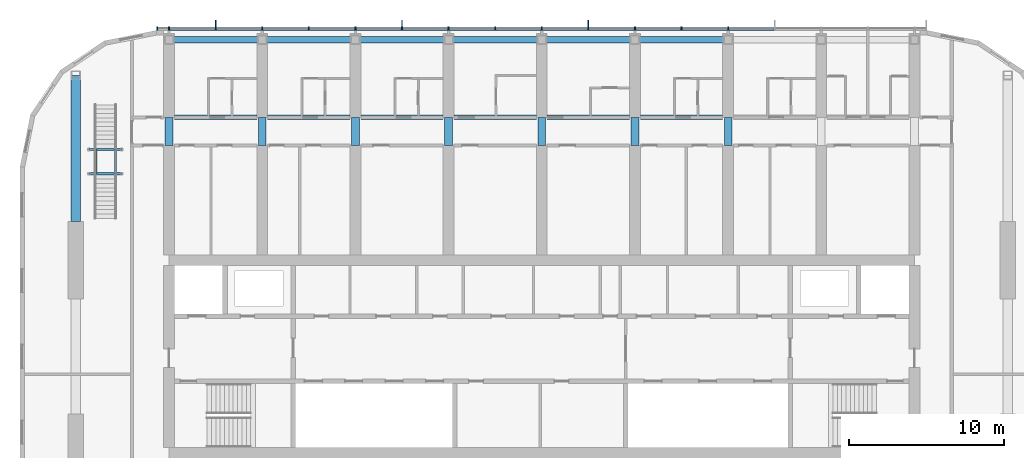
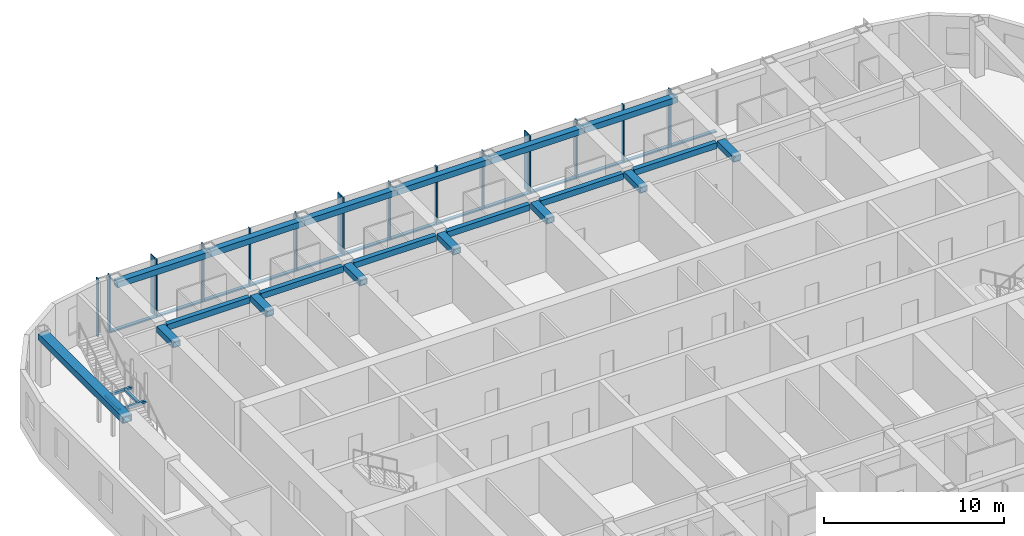
# One storey, part 6 of 27: 30 members, 24 beams, 1 element without a shape of its own.
"""IFC4 building model written with IfcOpenShell, lengths in metres."""

import ifcopenshell
import ifcopenshell.guid

model = None  # the IFC model being written
_history = None  # IfcOwnerHistory: only IFC2X3 demands one
_inside = {}  # id of a spatial element -> (the spatial element, [elements in it])
_under = {}  # id of a project, library or spatial element -> (it, [spatial elements below it])
_declared = {}  # id of a project -> (the project, [libraries it declares])
_typed = {}  # id of a type object -> (the type object, [elements of that type])
_made_of = {}  # id of a material, layer set ... -> (it, [elements and type objects made of it])


def new_model(schema):
    """Start an empty IFC model of exactly this schema.

    Asked for "IFC4X3", IfcOpenShell would pick the latest addendum, in which some entities
    have other attributes; the version numbers below select the first issue.
    IFC2X3 requires an IfcOwnerHistory on every rooted entity: one is made here for all.
    """
    global model, _history
    if schema == "IFC4X3":
        model = ifcopenshell.file(schema_version=(4, 3, 0, 0))
    else:
        model = ifcopenshell.file(schema=schema)
    _inside.clear()
    _under.clear()
    _declared.clear()
    _typed.clear()
    _made_of.clear()
    _history = None
    if model.schema == "IFC2X3":
        org = make("IfcOrganization", Name="unknown")
        user = make(
            "IfcPersonAndOrganization",
            ThePerson=make("IfcPerson", FamilyName="unknown"),
            TheOrganization=org,
        )
        app = make(
            "IfcApplication",
            ApplicationDeveloper=org,
            Version="unknown",
            ApplicationFullName="unknown",
            ApplicationIdentifier="unknown",
        )
        _history = make(
            "IfcOwnerHistory",
            OwningUser=user,
            OwningApplication=app,
            ChangeAction="ADDED",
            CreationDate=0,
        )
    return model


def make(cls, **values):
    """One entity of the class cls with the attributes given. An attribute that is None is left unset."""
    return model.create_entity(
        cls, **{name: value for name, value in values.items() if value is not None}
    )


def rooted(cls, **values):
    """An entity with a GlobalId (a new one), such as an element, a storey or a relation."""
    return make(cls, GlobalId=ifcopenshell.guid.new(), OwnerHistory=_history, **values)


def si_unit(unit_type, name, prefix=None):
    """IfcSIUnit, for example si_unit("LENGTHUNIT", "METRE", prefix="MILLI")."""
    return make("IfcSIUnit", UnitType=unit_type, Prefix=prefix, Name=name)


def assignment(units):
    """IfcUnitAssignment: the units of a project."""
    return None if units is None else make("IfcUnitAssignment", Units=units)


def point(xyz):
    """IfcCartesianPoint."""
    return None if xyz is None else make("IfcCartesianPoint", Coordinates=xyz)


def direction(xyz):
    """IfcDirection."""
    return None if xyz is None else make("IfcDirection", DirectionRatios=xyz)


def frame(location, z_axis=None, x_axis=None):
    """IfcAxis2Placement3D, a coordinate frame: its origin and axes. An axis left out is left unset."""
    return make(
        "IfcAxis2Placement3D",
        Location=point(location),
        Axis=direction(z_axis),
        RefDirection=direction(x_axis),
    )


def frame_2d(location, x_axis=None):
    """IfcAxis2Placement2D, a coordinate frame in the plane: its origin and x axis."""
    return make(
        "IfcAxis2Placement2D", Location=point(location), RefDirection=direction(x_axis)
    )


def origin():
    """The frame at (0, 0, 0) with its axes left unset."""
    return frame((0.0, 0.0, 0.0))


def origin_2d():
    """The frame at (0, 0) in the plane with its x axis left unset."""
    return frame_2d((0.0, 0.0))


def place(relative_to, where):
    """IfcLocalPlacement: puts the frame where relative to a parent placement (None: the world)."""
    return make(
        "IfcLocalPlacement", PlacementRelTo=relative_to, RelativePlacement=where
    )


def context(
    kind, dimensions, precision=None, world=None, true_north=None, identifier=None
):
    """IfcGeometricRepresentationContext, for example the 3D "Model" context."""
    return make(
        "IfcGeometricRepresentationContext",
        ContextIdentifier=identifier,
        ContextType=kind,
        CoordinateSpaceDimension=dimensions,
        Precision=precision,
        WorldCoordinateSystem=world,
        TrueNorth=true_north,
    )


def subcontext(parent, identifier, kind, view, scale=None):
    """IfcGeometricRepresentationSubContext, for example "Body" below "Model"."""
    return make(
        "IfcGeometricRepresentationSubContext",
        ContextIdentifier=identifier,
        ContextType=kind,
        ParentContext=parent,
        TargetScale=scale,
        TargetView=view,
    )


def project(units=None, contexts=None):
    """IfcProject with its units and contexts."""
    return rooted(
        "IfcProject",
        Name="project",
        RepresentationContexts=contexts,
        UnitsInContext=assignment(units),
    )


def spatial(cls, under=None, at=None, **own):
    """A site, building, storey or space (cls), placed at a placement, below another one or the project."""
    s = rooted(cls, ObjectPlacement=at, **own)
    if under is not None:
        _under.setdefault(under.id(), (under, []))[1].append(s)
    return s


def profile(cls, at=None, kind="AREA", **sizes):
    """A parametric profile (cls). Its sizes go by their IFC names, for example OverallWidth=200.0."""
    return make(cls, ProfileType=kind, Position=at, **sizes)


def rectangle(**sizes):
    """IfcRectangleProfileDef."""
    return profile("IfcRectangleProfileDef", **sizes)


def hollow_rectangle(**sizes):
    """IfcRectangleHollowProfileDef."""
    return profile("IfcRectangleHollowProfileDef", **sizes)


def extrude(swept, where, along, depth):
    """IfcExtrudedAreaSolid: the profile swept, set in the frame where, extruded along a direction by depth."""
    return make(
        "IfcExtrudedAreaSolid",
        SweptArea=swept,
        Position=where,
        ExtrudedDirection=direction(along),
        Depth=depth,
    )


def shape(context_of_items, identifier, shape_type, items):
    """IfcShapeRepresentation: the items that make up one representation, for example the "Body"."""
    return make(
        "IfcShapeRepresentation",
        ContextOfItems=context_of_items,
        RepresentationIdentifier=identifier,
        RepresentationType=shape_type,
        Items=items,
    )


def material(Name=None, Category=None):
    """IfcMaterial."""
    return make("IfcMaterial", Name=Name, Category=Category)


def material_profile(
    of_material, cross_section, Name=None, Category=None, Priority=None
):
    """IfcMaterialProfile: a cross section and its material."""
    return make(
        "IfcMaterialProfile",
        Name=Name,
        Material=of_material,
        Profile=cross_section,
        Priority=Priority,
        Category=Category,
    )


def profile_set(profiles, Name=None, composite=None):
    """IfcMaterialProfileSet."""
    return make(
        "IfcMaterialProfileSet",
        Name=Name,
        MaterialProfiles=profiles,
        CompositeProfile=composite,
    )


def made_of(thing, what):
    """Note that an element or type object is made of a material, layer set ...; save() writes the relation."""
    if what is not None:
        _made_of.setdefault(what.id(), (what, []))[1].append(thing)
    return thing


def type_object(cls, material=None, **own):
    """A type object (cls), such as IfcWallType, which elements share."""
    return made_of(rooted(cls, **own), material)


def element(
    cls,
    number,
    at=None,
    inside=None,
    cuts=None,
    type_object=None,
    material=None,
    context=None,
    identifier="Body",
    shape_type=None,
    held_by="IfcProductDefinitionShape",
    body=None,
    shapes=None,
    **own,
):
    """One element of the class cls, such as IfcWall. Its Tag is "e" and its number.

    at: its placement. inside: the storey or other place that contains it. cuts: it is an
    opening in that element (IfcRelVoidsElement). A single representation is given by context,
    identifier, shape_type and body (its items); several are given by shapes. held_by: the class
    of the entity that holds the representations. save() writes the other relations.
    """
    e = rooted(cls, Tag="e%d" % number, ObjectPlacement=at, **own)
    if body is not None:
        shapes = [shape(context, identifier, shape_type, body)]
    if shapes is not None:
        e.Representation = make(held_by, Representations=shapes)
    if inside is not None:
        _inside.setdefault(inside.id(), (inside, []))[1].append(e)
    if cuts is not None:
        rooted(
            "IfcRelVoidsElement", RelatingBuildingElement=cuts, RelatedOpeningElement=e
        )
    if type_object is not None:
        _typed.setdefault(type_object.id(), (type_object, []))[1].append(e)
    return made_of(e, material)


def aggregate(whole, parts):
    """IfcRelAggregates: a whole, such as a stair, and the parts it consists of."""
    return rooted("IfcRelAggregates", RelatingObject=whole, RelatedObjects=parts)


def save(model, path):
    """Write the relations noted so far, then the file.

    IfcRelAggregates (storeys below a building ...), IfcRelContainedInSpatialStructure (elements
    in a storey), IfcRelDefinesByType, IfcRelAssociatesMaterial and IfcRelDeclares: one each for
    every whole, place, type object, material and project.
    """
    for whole, parts in _under.values():
        aggregate(whole, parts)
    for where, things in _inside.values():
        rooted(
            "IfcRelContainedInSpatialStructure",
            RelatedElements=things,
            RelatingStructure=where,
        )
    for kind, things in _typed.values():
        rooted("IfcRelDefinesByType", RelatedObjects=things, RelatingType=kind)
    for what, things in _made_of.values():
        rooted("IfcRelAssociatesMaterial", RelatedObjects=things, RelatingMaterial=what)
    for by, libraries in _declared.values():
        rooted("IfcRelDeclares", RelatingContext=by, RelatedDefinitions=libraries)
    model.write(path)


model = new_model("IFC4")

# Units and contexts
model_context = context("Model", 3, precision=1e-05, world=origin(), true_north=direction((0.0, 1.0)))
body_context = subcontext(model_context, "Body", "Model", "MODEL_VIEW")
ifc_project = project(units=[si_unit("LENGTHUNIT", "METRE"), si_unit("AREAUNIT", "SQUARE_METRE"), si_unit("VOLUMEUNIT", "CUBIC_METRE"), si_unit("PLANEANGLEUNIT", "RADIAN"), si_unit("MASSUNIT", "GRAM", prefix="KILO")], contexts=[model_context])

# Site, building, storey
site_placement = place(None, origin())
site = spatial("IfcSite", under=ifc_project, at=site_placement, CompositionType="ELEMENT")
building_placement = place(site_placement, origin())
building = spatial("IfcBuilding", under=site, at=building_placement, Name="Orbita Commons", CompositionType="ELEMENT")
storey_placement = place(building_placement, frame((0.0, 0.0, 246.550048828125)))
storey = spatial("IfcBuildingStorey", under=building, at=storey_placement, Name="L61", CompositionType="ELEMENT", Elevation=246.550048828125)

# Curtain wall, members
ifc_material_1 = material(Name="Anodised aluminium frame, pale silver", Category="aluminium")
curtain_wall_type = type_object("IfcCurtainWallType", Name="Unitised curtain wall CW-U, full-height vision", PredefinedType="NOTDEFINED", material=ifc_material_1)
curtain_wall_placement = place(storey_placement, origin())
curtain_wall = element("IfcCurtainWall", 1, at=curtain_wall_placement, inside=storey, type_object=curtain_wall_type, Name="Curtain wall north L61", PredefinedType="NOTDEFINED")
ifc_material_2 = material(Name="Anodised aluminium, pale silver", Category="aluminium")
ifc_material_profile_1 = material_profile(ifc_material_2, rectangle(XDim=0.080078125, YDim=0.219970703125, at=origin_2d()), Name="AL 80x220")
ifc_profile_set_1 = profile_set([ifc_material_profile_1], Name="Anodised aluminium, pale silver")
member_type_1 = type_object("IfcMemberType", Name="Curtain wall mullion 80x220", PredefinedType="MULLION", material=ifc_profile_set_1)
member_1_placement = place(storey_placement, frame((54.0, 53.110107421875, -0.449951171875), z_axis=(0.0, 0.0, 1.0), x_axis=(-1.0, 0.0, 0.0)))
member_1 = element("IfcMember", 2, at=member_1_placement, type_object=member_type_1, Name="Mullion 6 CW-L61-N", PredefinedType="MULLION", context=body_context, shape_type="SweptSolid", body=[
    extrude(rectangle(XDim=0.080078125, YDim=0.219970703125, at=origin_2d()), origin(), (0.0, 0.0, 1.0), 3.949951171875),
])
member_2_placement = place(storey_placement, frame((51.0, 53.110107421875, -0.449951171875), z_axis=(0.0, 0.0, 1.0), x_axis=(-1.0, 0.0, 0.0)))
member_2 = element("IfcMember", 3, at=member_2_placement, type_object=member_type_1, Name="Mullion 7 CW-L61-N", PredefinedType="MULLION", context=body_context, shape_type="SweptSolid", body=[
    extrude(rectangle(XDim=0.080078125, YDim=0.219970703125, at=origin_2d()), origin(), (0.0, 0.0, 1.0), 3.949951171875),
])
member_3_placement = place(storey_placement, frame((48.0, 53.110107421875, -0.449951171875), z_axis=(0.0, 0.0, 1.0), x_axis=(-1.0, 0.0, 0.0)))
member_3 = element("IfcMember", 4, at=member_3_placement, type_object=member_type_1, Name="Mullion 8 CW-L61-N", PredefinedType="MULLION", context=body_context, shape_type="SweptSolid", body=[
    extrude(rectangle(XDim=0.080078125, YDim=0.219970703125, at=origin_2d()), origin(), (0.0, 0.0, 1.0), 3.949951171875),
])
member_4_placement = place(storey_placement, frame((45.0, 53.110107421875, -0.449951171875), z_axis=(0.0, 0.0, 1.0), x_axis=(-1.0, 0.0, 0.0)))
member_4 = element("IfcMember", 5, at=member_4_placement, type_object=member_type_1, Name="Mullion 9 CW-L61-N", PredefinedType="MULLION", context=body_context, shape_type="SweptSolid", body=[
    extrude(rectangle(XDim=0.080078125, YDim=0.219970703125, at=origin_2d()), origin(), (0.0, 0.0, 1.0), 3.949951171875),
])
member_5_placement = place(storey_placement, frame((42.0, 53.110107421875, -0.449951171875), z_axis=(0.0, 0.0, 1.0), x_axis=(-1.0, 0.0, 0.0)))
member_5 = element("IfcMember", 6, at=member_5_placement, type_object=member_type_1, Name="Mullion 10 CW-L61-N", PredefinedType="MULLION", context=body_context, shape_type="SweptSolid", body=[
    extrude(rectangle(XDim=0.080078125, YDim=0.219970703125, at=origin_2d()), origin(), (0.0, 0.0, 1.0), 3.949951171875),
])
member_6_placement = place(storey_placement, frame((39.0, 53.110107421875, -0.449951171875), z_axis=(0.0, 0.0, 1.0), x_axis=(-1.0, 0.0, 0.0)))
member_6 = element("IfcMember", 7, at=member_6_placement, type_object=member_type_1, Name="Mullion 11 CW-L61-N", PredefinedType="MULLION", context=body_context, shape_type="SweptSolid", body=[
    extrude(rectangle(XDim=0.080078125, YDim=0.219970703125, at=origin_2d()), origin(), (0.0, 0.0, 1.0), 3.949951171875),
])
member_7_placement = place(storey_placement, frame((36.0, 53.110107421875, -0.449951171875), z_axis=(0.0, 0.0, 1.0), x_axis=(-1.0, 0.0, 0.0)))
member_7 = element("IfcMember", 8, at=member_7_placement, type_object=member_type_1, Name="Mullion 12 CW-L61-N", PredefinedType="MULLION", context=body_context, shape_type="SweptSolid", body=[
    extrude(rectangle(XDim=0.080078125, YDim=0.219970703125, at=origin_2d()), origin(), (0.0, 0.0, 1.0), 3.949951171875),
])
member_8_placement = place(storey_placement, frame((33.0, 53.110107421875, -0.449951171875), z_axis=(0.0, 0.0, 1.0), x_axis=(-1.0, 0.0, 0.0)))
member_8 = element("IfcMember", 9, at=member_8_placement, type_object=member_type_1, Name="Mullion 13 CW-L61-N", PredefinedType="MULLION", context=body_context, shape_type="SweptSolid", body=[
    extrude(rectangle(XDim=0.080078125, YDim=0.219970703125, at=origin_2d()), origin(), (0.0, 0.0, 1.0), 3.949951171875),
])
member_9_placement = place(storey_placement, frame((30.0, 53.110107421875, -0.449951171875), z_axis=(0.0, 0.0, 1.0), x_axis=(-1.0, 0.0, 0.0)))
member_9 = element("IfcMember", 10, at=member_9_placement, type_object=member_type_1, Name="Mullion 14 CW-L61-N", PredefinedType="MULLION", context=body_context, shape_type="SweptSolid", body=[
    extrude(rectangle(XDim=0.080078125, YDim=0.219970703125, at=origin_2d()), origin(), (0.0, 0.0, 1.0), 3.949951171875),
])
member_10_placement = place(storey_placement, frame((27.0, 53.110107421875, -0.449951171875), z_axis=(0.0, 0.0, 1.0), x_axis=(-1.0, 0.0, 0.0)))
member_10 = element("IfcMember", 11, at=member_10_placement, type_object=member_type_1, Name="Mullion 15 CW-L61-N", PredefinedType="MULLION", context=body_context, shape_type="SweptSolid", body=[
    extrude(rectangle(XDim=0.080078125, YDim=0.219970703125, at=origin_2d()), origin(), (0.0, 0.0, 1.0), 3.949951171875),
])
member_11_placement = place(storey_placement, frame((24.0, 53.110107421875, -0.449951171875), z_axis=(0.0, 0.0, 1.0), x_axis=(-1.0, 0.0, 0.0)))
member_11 = element("IfcMember", 12, at=member_11_placement, type_object=member_type_1, Name="Mullion 16 CW-L61-N", PredefinedType="MULLION", context=body_context, shape_type="SweptSolid", body=[
    extrude(rectangle(XDim=0.080078125, YDim=0.219970703125, at=origin_2d()), origin(), (0.0, 0.0, 1.0), 3.949951171875),
])
member_12_placement = place(storey_placement, frame((21.0, 53.110107421875, -0.449951171875), z_axis=(0.0, 0.0, 1.0), x_axis=(-1.0, 0.0, 0.0)))
member_12 = element("IfcMember", 13, at=member_12_placement, type_object=member_type_1, Name="Mullion 17 CW-L61-N", PredefinedType="MULLION", context=body_context, shape_type="SweptSolid", body=[
    extrude(rectangle(XDim=0.080078125, YDim=0.219970703125, at=origin_2d()), origin(), (0.0, 0.0, 1.0), 3.949951171875),
])
member_13_placement = place(storey_placement, frame((18.0, 53.110107421875, -0.449951171875), z_axis=(0.0, 0.0, 1.0), x_axis=(-1.0, 0.0, 0.0)))
member_13 = element("IfcMember", 14, at=member_13_placement, type_object=member_type_1, Name="Mullion 18 CW-L61-N", PredefinedType="MULLION", context=body_context, shape_type="SweptSolid", body=[
    extrude(rectangle(XDim=0.080078125, YDim=0.219970703125, at=origin_2d()), origin(), (0.0, 0.0, 1.0), 3.949951171875),
])
member_14_placement = place(storey_placement, frame((17.239990234375, 53.110107421875, -0.449951171875), z_axis=(0.0, 0.0, 1.0), x_axis=(-1.0, 0.0, 0.0)))
member_14 = element("IfcMember", 15, at=member_14_placement, type_object=member_type_1, Name="Mullion 19 CW-L61-N", PredefinedType="MULLION", context=body_context, shape_type="SweptSolid", body=[
    extrude(rectangle(XDim=0.080078125, YDim=0.219970703125, at=origin_2d()), origin(), (0.0, 0.0, 1.0), 3.949951171875),
])
ifc_material_3 = material(Name="Anodised aluminium, pale silver", Category="aluminium")
ifc_material_profile_2 = material_profile(ifc_material_3, rectangle(XDim=0.219970703125, YDim=0.10009765625, at=origin_2d()), Name="AL 220x100")
ifc_profile_set_2 = profile_set([ifc_material_profile_2], Name="Anodised aluminium, pale silver")
member_type_2 = type_object("IfcMemberType", Name="Curtain wall stack transom 220x100", PredefinedType="USERDEFINED", material=ifc_profile_set_2)
member_15_placement = place(storey_placement, frame((56.9599609375, 53.110107421875, -0.400146484375), z_axis=(-1.0, 0.0, 0.0), x_axis=(0.0, -1.0, 0.0)))
member_15 = element("IfcMember", 16, at=member_15_placement, type_object=member_type_2, Name="Transom 5.1 CW-L61-N", ObjectType="TRANSOM", PredefinedType="USERDEFINED", context=body_context, shape_type="SweptSolid", body=[
    extrude(rectangle(XDim=0.219970703125, YDim=0.10009765625, at=origin_2d()), origin(), (0.0, 0.0, 1.0), 2.919921875),
])
member_16_placement = place(storey_placement, frame((53.9599609375, 53.110107421875, -0.400146484375), z_axis=(-1.0, 0.0, 0.0), x_axis=(0.0, -1.0, 0.0)))
member_16 = element("IfcMember", 17, at=member_16_placement, type_object=member_type_2, Name="Transom 6.1 CW-L61-N", ObjectType="TRANSOM", PredefinedType="USERDEFINED", context=body_context, shape_type="SweptSolid", body=[
    extrude(rectangle(XDim=0.219970703125, YDim=0.10009765625, at=origin_2d()), origin(), (0.0, 0.0, 1.0), 2.919921875),
])
member_17_placement = place(storey_placement, frame((50.9599609375, 53.110107421875, -0.400146484375), z_axis=(-1.0, 0.0, 0.0), x_axis=(0.0, -1.0, 0.0)))
member_17 = element("IfcMember", 18, at=member_17_placement, type_object=member_type_2, Name="Transom 7.1 CW-L61-N", ObjectType="TRANSOM", PredefinedType="USERDEFINED", context=body_context, shape_type="SweptSolid", body=[
    extrude(rectangle(XDim=0.219970703125, YDim=0.10009765625, at=origin_2d()), origin(), (0.0, 0.0, 1.0), 2.919921875),
])
member_18_placement = place(storey_placement, frame((47.9599609375, 53.110107421875, -0.400146484375), z_axis=(-1.0, 0.0, 0.0), x_axis=(0.0, -1.0, 0.0)))
member_18 = element("IfcMember", 19, at=member_18_placement, type_object=member_type_2, Name="Transom 8.1 CW-L61-N", ObjectType="TRANSOM", PredefinedType="USERDEFINED", context=body_context, shape_type="SweptSolid", body=[
    extrude(rectangle(XDim=0.219970703125, YDim=0.10009765625, at=origin_2d()), origin(), (0.0, 0.0, 1.0), 2.919921875),
])
member_19_placement = place(storey_placement, frame((44.9599609375, 53.110107421875, -0.400146484375), z_axis=(-1.0, 0.0, 0.0), x_axis=(0.0, -1.0, 0.0)))
member_19 = element("IfcMember", 20, at=member_19_placement, type_object=member_type_2, Name="Transom 9.1 CW-L61-N", ObjectType="TRANSOM", PredefinedType="USERDEFINED", context=body_context, shape_type="SweptSolid", body=[
    extrude(rectangle(XDim=0.219970703125, YDim=0.10009765625, at=origin_2d()), origin(), (0.0, 0.0, 1.0), 2.919921875),
])
member_20_placement = place(storey_placement, frame((41.9599609375, 53.110107421875, -0.400146484375), z_axis=(-1.0, 0.0, 0.0), x_axis=(0.0, -1.0, 0.0)))
member_20 = element("IfcMember", 21, at=member_20_placement, type_object=member_type_2, Name="Transom 10.1 CW-L61-N", ObjectType="TRANSOM", PredefinedType="USERDEFINED", context=body_context, shape_type="SweptSolid", body=[
    extrude(rectangle(XDim=0.219970703125, YDim=0.10009765625, at=origin_2d()), origin(), (0.0, 0.0, 1.0), 2.919921875),
])
member_21_placement = place(storey_placement, frame((38.9599609375, 53.110107421875, -0.400146484375), z_axis=(-1.0, 0.0, 0.0), x_axis=(0.0, -1.0, 0.0)))
member_21 = element("IfcMember", 22, at=member_21_placement, type_object=member_type_2, Name="Transom 11.1 CW-L61-N", ObjectType="TRANSOM", PredefinedType="USERDEFINED", context=body_context, shape_type="SweptSolid", body=[
    extrude(rectangle(XDim=0.219970703125, YDim=0.10009765625, at=origin_2d()), origin(), (0.0, 0.0, 1.0), 2.919921875),
])
member_22_placement = place(storey_placement, frame((35.9599609375, 53.110107421875, -0.400146484375), z_axis=(-1.0, 0.0, 0.0), x_axis=(0.0, -1.0, 0.0)))
member_22 = element("IfcMember", 23, at=member_22_placement, type_object=member_type_2, Name="Transom 12.1 CW-L61-N", ObjectType="TRANSOM", PredefinedType="USERDEFINED", context=body_context, shape_type="SweptSolid", body=[
    extrude(rectangle(XDim=0.219970703125, YDim=0.10009765625, at=origin_2d()), origin(), (0.0, 0.0, 1.0), 2.919921875),
])
member_23_placement = place(storey_placement, frame((32.9599609375, 53.110107421875, -0.400146484375), z_axis=(-1.0, 0.0, 0.0), x_axis=(0.0, -1.0, 0.0)))
member_23 = element("IfcMember", 24, at=member_23_placement, type_object=member_type_2, Name="Transom 13.1 CW-L61-N", ObjectType="TRANSOM", PredefinedType="USERDEFINED", context=body_context, shape_type="SweptSolid", body=[
    extrude(rectangle(XDim=0.219970703125, YDim=0.10009765625, at=origin_2d()), origin(), (0.0, 0.0, 1.0), 2.919921875),
])
member_24_placement = place(storey_placement, frame((29.9599609375, 53.110107421875, -0.400146484375), z_axis=(-1.0, 0.0, 0.0), x_axis=(0.0, -1.0, 0.0)))
member_24 = element("IfcMember", 25, at=member_24_placement, type_object=member_type_2, Name="Transom 14.1 CW-L61-N", ObjectType="TRANSOM", PredefinedType="USERDEFINED", context=body_context, shape_type="SweptSolid", body=[
    extrude(rectangle(XDim=0.219970703125, YDim=0.10009765625, at=origin_2d()), origin(), (0.0, 0.0, 1.0), 2.919921875),
])
member_25_placement = place(storey_placement, frame((26.9599609375, 53.110107421875, -0.400146484375), z_axis=(-1.0, 0.0, 0.0), x_axis=(0.0, -1.0, 0.0)))
member_25 = element("IfcMember", 26, at=member_25_placement, type_object=member_type_2, Name="Transom 15.1 CW-L61-N", ObjectType="TRANSOM", PredefinedType="USERDEFINED", context=body_context, shape_type="SweptSolid", body=[
    extrude(rectangle(XDim=0.219970703125, YDim=0.10009765625, at=origin_2d()), origin(), (0.0, 0.0, 1.0), 2.919921875),
])
member_26_placement = place(storey_placement, frame((23.9599609375, 53.110107421875, -0.400146484375), z_axis=(-1.0, 0.0, 0.0), x_axis=(0.0, -1.0, 0.0)))
member_26 = element("IfcMember", 27, at=member_26_placement, type_object=member_type_2, Name="Transom 16.1 CW-L61-N", ObjectType="TRANSOM", PredefinedType="USERDEFINED", context=body_context, shape_type="SweptSolid", body=[
    extrude(rectangle(XDim=0.219970703125, YDim=0.10009765625, at=origin_2d()), origin(), (0.0, 0.0, 1.0), 2.919921875),
])
member_27_placement = place(storey_placement, frame((20.9599609375, 53.110107421875, -0.400146484375), z_axis=(-1.0, 0.0, 0.0), x_axis=(0.0, -1.0, 0.0)))
member_27 = element("IfcMember", 28, at=member_27_placement, type_object=member_type_2, Name="Transom 17.1 CW-L61-N", ObjectType="TRANSOM", PredefinedType="USERDEFINED", context=body_context, shape_type="SweptSolid", body=[
    extrude(rectangle(XDim=0.219970703125, YDim=0.10009765625, at=origin_2d()), origin(), (0.0, 0.0, 1.0), 2.919921875),
])

# Beams
ifc_material_4 = material(Name="Steel ASTM A992", Category="steel")
ifc_material_profile_3 = material_profile(ifc_material_4, hollow_rectangle(XDim=0.14990234375, YDim=0.14990234375, WallThickness=0.008056640625, at=origin_2d()), Name="SHS 150x150x8")
ifc_profile_set_3 = profile_set([ifc_material_profile_3], Name="Steel ASTM A992")
beam_type_1 = type_object("IfcBeamType", Name="Landing frame beam SHS 150x150x8", PredefinedType="BEAM", material=ifc_profile_set_3)
for number, where, z_axis, x_axis, name in (
    (29, (12.85009765625, 43.77490234375, 1.599853515625), (1.0, 0.0, 0.0), (0.0, 1.0, 0.0), "Neighbourhood stair L61 to L62 landing frame beam 1"),
    (30, (12.85009765625, 45.3349609375, 1.599853515625), (1.0, 0.0, 0.0), (0.0, 1.0, 0.0), "Neighbourhood stair L61 to L62 landing frame beam 2"),
):
    element("IfcBeam", number, at=place(storey_placement, frame(where, z_axis=z_axis, x_axis=x_axis)), inside=storey, type_object=beam_type_1, Name=name, PredefinedType="BEAM", context=body_context, shape_type="SweptSolid", body=[
        extrude(hollow_rectangle(XDim=0.14990234375, YDim=0.14990234375, WallThickness=0.008056640625, at=origin_2d()), origin(), (0.0, 0.0, 1.0), 2.099853515625),
    ])
for number, where, z_axis, x_axis, name in (
    (31, (13.27490234375, 43.77490234375, 1.599853515625), (0.0, 1.0, 0.0), (-1.0, 0.0, 0.0), "Neighbourhood stair L61 to L62 landing frame beam 3"),
    (32, (14.52490234375, 43.77490234375, 1.599853515625), (0.0, 1.0, 0.0), (-1.0, 0.0, 0.0), "Neighbourhood stair L61 to L62 landing frame beam 4"),
):
    element("IfcBeam", number, at=place(storey_placement, frame(where, z_axis=z_axis, x_axis=x_axis)), inside=storey, type_object=beam_type_1, Name=name, PredefinedType="BEAM", context=body_context, shape_type="SweptSolid", body=[
        extrude(hollow_rectangle(XDim=0.14990234375, YDim=0.14990234375, WallThickness=0.008056640625, at=origin_2d()), origin(), (0.0, 0.0, 1.0), 1.56005859375),
    ])
ifc_material_5 = material(Name="Steel ASTM A572 Gr 50 welded plate", Category="steel")
ifc_material_profile_4 = material_profile(ifc_material_5, hollow_rectangle(XDim=0.300048828125, YDim=0.39990234375, WallThickness=0.0400390625, at=origin_2d()), Name="BOX 400x300x40")
ifc_profile_set_4 = profile_set([ifc_material_profile_4], Name="Steel ASTM A572 Gr 50 welded plate")
beam_type_2 = type_object("IfcBeamType", Name="Steel corridor link BOX 400x300x40", PredefinedType="BEAM", material=ifc_profile_set_4)
for number, where, z_axis, x_axis, name in (
    (33, (18.35009765625, 47.39990234375, 3.300048828125), (1.0, 0.0, 0.0), (0.0, 1.0, 0.0), "Corridor beam NB 4-5 L61"),
    (34, (24.35009765625, 47.39990234375, 3.300048828125), (1.0, 0.0, 0.0), (0.0, 1.0, 0.0), "Corridor beam NB 5-6 L61"),
    (35, (30.35009765625, 47.39990234375, 3.300048828125), (1.0, 0.0, 0.0), (0.0, 1.0, 0.0), "Corridor beam NB 6-7 L61"),
    (36, (36.35009765625, 47.39990234375, 3.300048828125), (1.0, 0.0, 0.0), (0.0, 1.0, 0.0), "Corridor beam NB 7-8 L61"),
    (37, (42.35009765625, 47.39990234375, 3.300048828125), (1.0, 0.0, 0.0), (0.0, 1.0, 0.0), "Corridor beam NB 8-9 L61"),
    (38, (48.35009765625, 47.39990234375, 3.300048828125), (1.0, 0.0, 0.0), (0.0, 1.0, 0.0), "Corridor beam NB 9-10 L61"),
):
    element("IfcBeam", number, at=place(storey_placement, frame(where, z_axis=z_axis, x_axis=x_axis)), inside=storey, type_object=beam_type_2, Name=name, PredefinedType="BEAM", context=body_context, shape_type="SweptSolid", body=[
        extrude(hollow_rectangle(XDim=0.300048828125, YDim=0.39990234375, WallThickness=0.0400390625, at=origin_2d()), origin(), (0.0, 0.0, 1.0), 5.2998046875),
    ])
ifc_material_6 = material(Name="Steel ASTM A572 Gr 50 welded plate", Category="steel")
ifc_material_profile_5 = material_profile(ifc_material_6, hollow_rectangle(XDim=0.5, YDim=0.39990234375, WallThickness=0.050048828125, at=origin_2d()), Name="BOX 400x500x50")
ifc_profile_set_5 = profile_set([ifc_material_profile_5], Name="Steel ASTM A572 Gr 50 welded plate")
beam_type_3 = type_object("IfcBeamType", Name="Steel coupling link BOX 400x500x50", PredefinedType="LINTEL", material=ifc_profile_set_5)
for number, where, z_axis, x_axis, name in (
    (39, (18.0, 45.60009765625, 3.300048828125), (0.0, 1.0, 0.0), (-1.0, 0.0, 0.0), "Coupling beam 4 north L61"),
    (40, (24.0, 45.60009765625, 3.300048828125), (0.0, 1.0, 0.0), (-1.0, 0.0, 0.0), "Coupling beam 5 north L61"),
    (41, (30.0, 45.60009765625, 3.300048828125), (0.0, 1.0, 0.0), (-1.0, 0.0, 0.0), "Coupling beam 6 north L61"),
    (42, (36.0, 45.60009765625, 3.300048828125), (0.0, 1.0, 0.0), (-1.0, 0.0, 0.0), "Coupling beam 7 north L61"),
    (43, (42.0, 45.60009765625, 3.300048828125), (0.0, 1.0, 0.0), (-1.0, 0.0, 0.0), "Coupling beam 8 north L61"),
    (44, (48.0, 45.60009765625, 3.300048828125), (0.0, 1.0, 0.0), (-1.0, 0.0, 0.0), "Coupling beam 9 north L61"),
    (45, (54.0, 45.60009765625, 3.300048828125), (0.0, 1.0, 0.0), (-1.0, 0.0, 0.0), "Coupling beam 10 north L61"),
):
    element("IfcBeam", number, at=place(storey_placement, frame(where, z_axis=z_axis, x_axis=x_axis)), inside=storey, type_object=beam_type_3, Name=name, PredefinedType="LINTEL", context=body_context, shape_type="SweptSolid", body=[
        extrude(hollow_rectangle(XDim=0.5, YDim=0.39990234375, WallThickness=0.050048828125, at=origin_2d()), origin(), (0.0, 0.0, 1.0), 1.7998046875),
    ])
ifc_material_7 = material(Name="Steel ASTM A572 Gr 50 welded plate", Category="steel")
ifc_material_profile_6 = material_profile(ifc_material_7, hollow_rectangle(XDim=0.60009765625, YDim=0.449951171875, WallThickness=0.06005859375, at=origin_2d()), Name="BOX 450x600x60")
ifc_profile_set_6 = profile_set([ifc_material_profile_6], Name="Steel ASTM A572 Gr 50 welded plate")
beam_type_4 = type_object("IfcBeamType", Name="Steel end frame link BOX 450x600x60", PredefinedType="BEAM", material=ifc_profile_set_6)
beam_placement = place(storey_placement, frame((12.0, 40.699951171875, 3.27490234375), z_axis=(0.0, 1.0, 0.0), x_axis=(-1.0, 0.0, 0.0)))
element("IfcBeam", 46, at=beam_placement, inside=storey, type_object=beam_type_4, Name="End frame beam 3 D-E L61", PredefinedType="BEAM", context=body_context, shape_type="SweptSolid", body=[
    extrude(hollow_rectangle(XDim=0.60009765625, YDim=0.449951171875, WallThickness=0.06005859375, at=origin_2d()), origin(), (0.0, 0.0, 1.0), 9.400146484375),
])
ifc_material_8 = material(Name="Steel ASTM A572 Gr 50 welded plate", Category="steel")
ifc_material_profile_7 = material_profile(ifc_material_8, hollow_rectangle(XDim=0.39990234375, YDim=0.39990234375, WallThickness=0.0400390625, at=origin_2d()), Name="BOX 400x400x40")
ifc_profile_set_7 = profile_set([ifc_material_profile_7], Name="Steel ASTM A572 Gr 50 welded plate")
beam_type_5 = type_object("IfcBeamType", Name="Steel spandrel BOX 400x400x40", PredefinedType="SPANDREL", material=ifc_profile_set_7)
for number, where, z_axis, x_axis, name in (
    (47, (18.0, 52.39990234375, 3.300048828125), (1.0, 0.0, 0.0), (0.0, 1.0, 0.0), "Spandrel beam E 4-5 L61"),
    (48, (24.0, 52.39990234375, 3.300048828125), (1.0, 0.0, 0.0), (0.0, 1.0, 0.0), "Spandrel beam E 5-6 L61"),
    (49, (30.0, 52.39990234375, 3.300048828125), (1.0, 0.0, 0.0), (0.0, 1.0, 0.0), "Spandrel beam E 6-7 L61"),
    (50, (36.0, 52.39990234375, 3.300048828125), (1.0, 0.0, 0.0), (0.0, 1.0, 0.0), "Spandrel beam E 7-8 L61"),
    (51, (42.0, 52.39990234375, 3.300048828125), (1.0, 0.0, 0.0), (0.0, 1.0, 0.0), "Spandrel beam E 8-9 L61"),
    (52, (48.0, 52.39990234375, 3.300048828125), (1.0, 0.0, 0.0), (0.0, 1.0, 0.0), "Spandrel beam E 9-10 L61"),
):
    element("IfcBeam", number, at=place(storey_placement, frame(where, z_axis=z_axis, x_axis=x_axis)), inside=storey, type_object=beam_type_5, Name=name, PredefinedType="SPANDREL", context=body_context, shape_type="SweptSolid", body=[
        extrude(hollow_rectangle(XDim=0.39990234375, YDim=0.39990234375, WallThickness=0.0400390625, at=origin_2d()), origin(), (0.0, 0.0, 1.0), 6.0),
    ])

# Member
ifc_material_9 = material(Name="Anodised aluminium, pale silver", Category="aluminium")
ifc_material_profile_8 = material_profile(ifc_material_9, rectangle(XDim=0.06005859375, YDim=0.449951171875, at=origin_2d()), Name="FIN 60x450")
ifc_profile_set_8 = profile_set([ifc_material_profile_8], Name="Anodised aluminium, pale silver")
member_type_3 = type_object("IfcMemberType", Name="Vertical fin 60x450 pale aluminium", PredefinedType="USERDEFINED", material=ifc_profile_set_8)
member_28_placement = place(storey_placement, frame((45.0, 53.445068359375, -0.449951171875), z_axis=(0.0, 0.0, 1.0), x_axis=(-1.0, 0.0, 0.0)))
member_28 = element("IfcMember", 53, at=member_28_placement, type_object=member_type_3, Name="Fin 9 CW-L61-N", ObjectType="FIN", PredefinedType="USERDEFINED", context=body_context, shape_type="SweptSolid", body=[
    extrude(rectangle(XDim=0.06005859375, YDim=0.449951171875, at=origin_2d()), origin(), (0.0, 0.0, 1.0), 3.949951171875),
])

member_29_placement = place(storey_placement, frame((33.0, 53.445068359375, -0.449951171875), z_axis=(0.0, 0.0, 1.0), x_axis=(-1.0, 0.0, 0.0)))
member_29 = element("IfcMember", 54, at=member_29_placement, type_object=member_type_3, Name="Fin 13 CW-L61-N", ObjectType="FIN", PredefinedType="USERDEFINED", context=body_context, shape_type="SweptSolid", body=[
    extrude(rectangle(XDim=0.06005859375, YDim=0.449951171875, at=origin_2d()), origin(), (0.0, 0.0, 1.0), 3.949951171875),
])

member_30_placement = place(storey_placement, frame((21.0, 53.445068359375, -0.449951171875), z_axis=(0.0, 0.0, 1.0), x_axis=(-1.0, 0.0, 0.0)))
member_30 = element("IfcMember", 55, at=member_30_placement, type_object=member_type_3, Name="Fin 17 CW-L61-N", ObjectType="FIN", PredefinedType="USERDEFINED", context=body_context, shape_type="SweptSolid", body=[
    extrude(rectangle(XDim=0.06005859375, YDim=0.449951171875, at=origin_2d()), origin(), (0.0, 0.0, 1.0), 3.949951171875),
])

aggregate(curtain_wall, [member_1, member_2, member_3, member_4, member_28, member_5, member_6, member_7, member_8, member_29, member_9, member_10, member_11, member_12, member_30, member_13, member_14, member_15, member_16, member_17, member_18, member_19, member_20, member_21, member_22, member_23, member_24, member_25, member_26, member_27])

save(model, "model.ifc")
